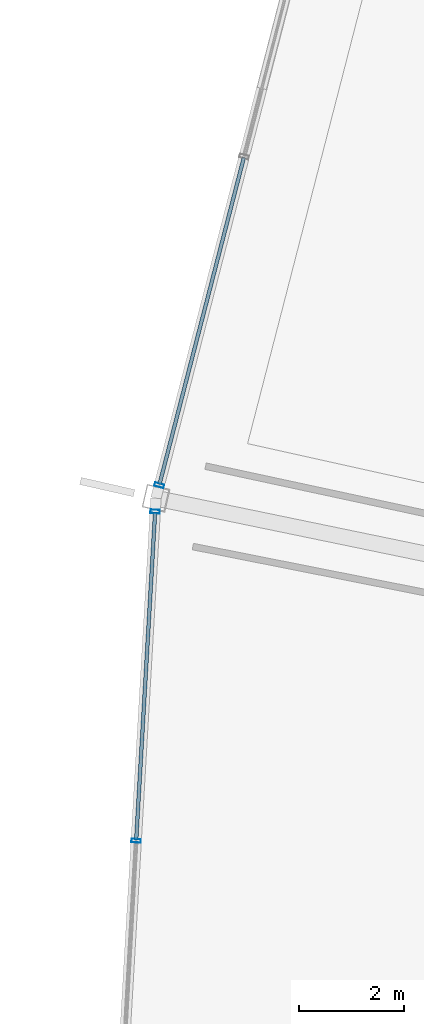
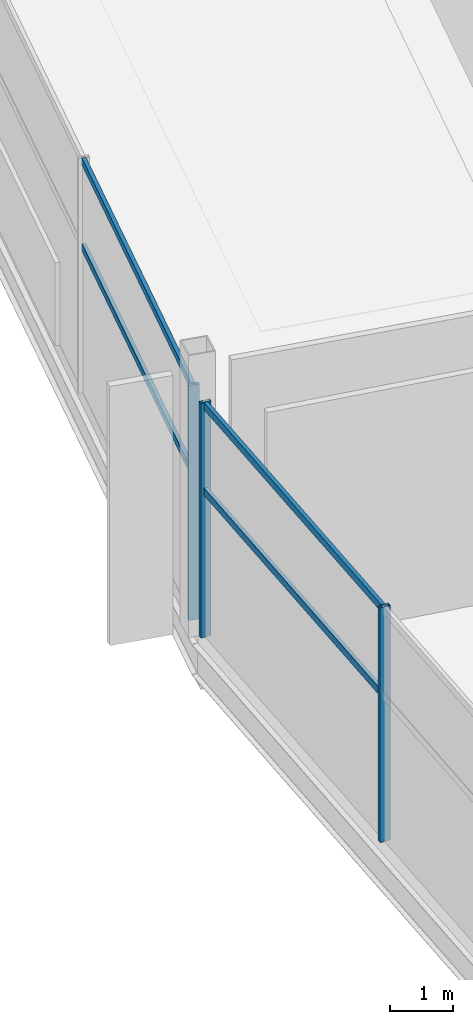
# One storey, part 49 of 186: 7 members, 2 elements without a shape of their own.
"""IFC4 building model written with IfcOpenShell, lengths in metres."""

from ifc_helpers import new_model, si_unit, direction, frame, origin, origin_2d, place, context, subcontext, project, spatial, hollow_rectangle, extrude, material, layer, layer_set, material_profile, profile_set, type_object, element, aggregate, save


model = new_model("IFC4")

# Units and contexts
model_context = context("Model", 3, precision=1e-05, world=origin(), true_north=direction((0.0, 1.0)))
body_context = subcontext(model_context, "Body", "Model", "MODEL_VIEW")
ifc_project = project(units=[si_unit("LENGTHUNIT", "METRE"), si_unit("AREAUNIT", "SQUARE_METRE"), si_unit("VOLUMEUNIT", "CUBIC_METRE"), si_unit("PLANEANGLEUNIT", "RADIAN"), si_unit("MASSUNIT", "GRAM", prefix="KILO")], contexts=[model_context])

# Site, building, storey
site_placement = place(None, origin())
site = spatial("IfcSite", under=ifc_project, at=site_placement, CompositionType="ELEMENT")
building_placement = place(site_placement, origin())
building = spatial("IfcBuilding", under=site, at=building_placement, Name="Kazemori Nagisa Stadium", CompositionType="ELEMENT")
storey_placement = place(building_placement, frame((0.0, 0.0, 20.39990234375)))
storey = spatial("IfcBuildingStorey", under=building, at=storey_placement, Name="L04", CompositionType="ELEMENT", Elevation=20.39990234375)

# Curtain wall, member
ifc_material_1 = material(Name="Anodised aluminium 6063-T5", Category="aluminium")
ifc_layer_1 = layer(ifc_material_1, 0.179931640625, Name="Anodised aluminium 6063-T5", Category="aluminium")
ifc_layer_set_1 = layer_set([ifc_layer_1], Name="Anodised aluminium 6063-T5")
curtain_wall_type_1 = type_object("IfcCurtainWallType", Name="CW_L04R3_98", PredefinedType="USERDEFINED", material=ifc_layer_set_1)
curtain_wall_1_placement = place(storey_placement, origin())
curtain_wall_1 = element("IfcCurtainWall", 1, at=curtain_wall_1_placement, inside=storey, type_object=curtain_wall_type_1, Name="Unitised curtain wall CW-L04R3-98 L04", ObjectType="UNITISED CURTAIN WALL", PredefinedType="USERDEFINED")
ifc_material_2 = material(Name="Aluminium 6063-T5 anodised", Category="aluminium")
ifc_material_profile_1 = material_profile(ifc_material_2, hollow_rectangle(XDim=0.070068359375, YDim=0.179931640625, WallThickness=0.00390625, at=origin_2d()), Name="ALU-MULL-70x180x4")
ifc_profile_set_1 = profile_set([ifc_material_profile_1], Name="Aluminium 6063-T5 anodised")
member_type_1 = type_object("IfcMemberType", Name="Mullion_M01", PredefinedType="MULLION", material=ifc_profile_set_1)
member_1_placement = place(storey_placement, frame((29.182861328125, 121.64453125, 0.0), z_axis=(0.0, 0.0, 1.0), x_axis=(-0.249964642418, -0.968254965152, 0.0)))
member_1 = element("IfcMember", 2, at=member_1_placement, type_object=member_type_1, Name="Curtain wall mullion CW-L04R3-98-M4", PredefinedType="MULLION", context=body_context, shape_type="SweptSolid", body=[
    extrude(hollow_rectangle(XDim=0.070068359375, YDim=0.179931640625, WallThickness=0.00390625, at=origin_2d()), origin(), (0.0, 0.0, 1.0), 4.530029296875),
])

# Curtain wall, members
ifc_layer_2 = layer(ifc_material_1, 0.179931640625, Name="Anodised aluminium 6063-T5", Category="aluminium")
ifc_layer_set_2 = layer_set([ifc_layer_2], Name="Anodised aluminium 6063-T5")
curtain_wall_type_2 = type_object("IfcCurtainWallType", Name="CW_L04R3_95", PredefinedType="USERDEFINED", material=ifc_layer_set_2)
curtain_wall_2_placement = place(storey_placement, origin())
curtain_wall_2 = element("IfcCurtainWall", 3, at=curtain_wall_2_placement, inside=storey, type_object=curtain_wall_type_2, Name="Unitised curtain wall CW-L04R3-95 L04", ObjectType="UNITISED CURTAIN WALL", PredefinedType="USERDEFINED")
member_2_placement = place(storey_placement, frame((29.1044921875, 121.14306640625, 0.0), z_axis=(0.0, 0.0, 1.0), x_axis=(-0.057601670941, -0.998339645364, 0.0)))
member_2 = element("IfcMember", 4, at=member_2_placement, type_object=member_type_1, Name="Curtain wall mullion CW-L04R3-95-M1", PredefinedType="MULLION", context=body_context, shape_type="SweptSolid", body=[
    extrude(hollow_rectangle(XDim=0.070068359375, YDim=0.179931640625, WallThickness=0.00390625, at=origin_2d()), origin(), (0.0, 0.0, 1.0), 4.530029296875),
])
member_3_placement = place(storey_placement, frame((28.7412109375, 114.846923828125, 0.0), z_axis=(0.0, 0.0, 1.0), x_axis=(-0.057601670941, -0.998339645364, 0.0)))
member_3 = element("IfcMember", 5, at=member_3_placement, type_object=member_type_1, Name="Curtain wall mullion CW-L04R3-95-M2", PredefinedType="MULLION", context=body_context, shape_type="SweptSolid", body=[
    extrude(hollow_rectangle(XDim=0.070068359375, YDim=0.179931640625, WallThickness=0.00390625, at=origin_2d()), origin(), (0.0, 0.0, 1.0), 4.530029296875),
])

# Member
ifc_material_profile_2 = material_profile(ifc_material_2, hollow_rectangle(XDim=0.070068359375, YDim=0.139892578125, WallThickness=0.00390625, at=origin_2d()), Name="ALU-TRAN-70x140x4")
ifc_profile_set_2 = profile_set([ifc_material_profile_2], Name="Aluminium 6063-T5 anodised")
member_type_2 = type_object("IfcMemberType", Name="Transom_T01", PredefinedType="USERDEFINED", material=ifc_profile_set_2)
member_4_placement = place(storey_placement, frame((30.80078125, 127.9111328125, 2.80859375), z_axis=(-0.249971861357, -0.968253101482, 0.0), x_axis=(0.968253101482, -0.249971861357, 0.0)))
member_4 = element("IfcMember", 6, at=member_4_placement, type_object=member_type_2, Name="Curtain wall transom CW-L04R3-98-T3-mid", ObjectType="TRANSOM", PredefinedType="USERDEFINED", context=body_context, shape_type="SweptSolid", body=[
    extrude(hollow_rectangle(XDim=0.070068359375, YDim=0.139892578125, WallThickness=0.00390625, at=origin_2d()), origin(), (0.0, 0.0, 1.0), 6.451904296875),
])

member_5_placement = place(storey_placement, frame((30.80078125, 127.9111328125, 4.460205078125), z_axis=(-0.249971861357, -0.968253101482, 0.0), x_axis=(0.968253101482, -0.249971861357, 0.0)))
member_5 = element("IfcMember", 7, at=member_5_placement, type_object=member_type_2, Name="Curtain wall transom CW-L04R3-98-T3-head", ObjectType="TRANSOM", PredefinedType="USERDEFINED", context=body_context, shape_type="SweptSolid", body=[
    extrude(hollow_rectangle(XDim=0.070068359375, YDim=0.139892578125, WallThickness=0.00390625, at=origin_2d()), origin(), (0.0, 0.0, 1.0), 6.451904296875),
])

aggregate(curtain_wall_1, [member_1, member_4, member_5])

member_6_placement = place(storey_placement, frame((29.103271484375, 121.123046875, 2.80859375), z_axis=(-0.057582347061, -0.998340760115, 0.0), x_axis=(0.998340760115, -0.057582347061, 0.0)))
member_6 = element("IfcMember", 8, at=member_6_placement, type_object=member_type_2, Name="Curtain wall transom CW-L04R3-95-T1-mid", ObjectType="TRANSOM", PredefinedType="USERDEFINED", context=body_context, shape_type="SweptSolid", body=[
    extrude(hollow_rectangle(XDim=0.070068359375, YDim=0.139892578125, WallThickness=0.00390625, at=origin_2d()), origin(), (0.0, 0.0, 1.0), 6.2666015625),
])

member_7_placement = place(storey_placement, frame((29.103271484375, 121.123046875, 4.460205078125), z_axis=(-0.057582347061, -0.998340760115, 0.0), x_axis=(0.998340760115, -0.057582347061, 0.0)))
member_7 = element("IfcMember", 9, at=member_7_placement, type_object=member_type_2, Name="Curtain wall transom CW-L04R3-95-T1-head", ObjectType="TRANSOM", PredefinedType="USERDEFINED", context=body_context, shape_type="SweptSolid", body=[
    extrude(hollow_rectangle(XDim=0.070068359375, YDim=0.139892578125, WallThickness=0.00390625, at=origin_2d()), origin(), (0.0, 0.0, 1.0), 6.2666015625),
])

aggregate(curtain_wall_2, [member_2, member_3, member_6, member_7])

save(model, "model.ifc")
